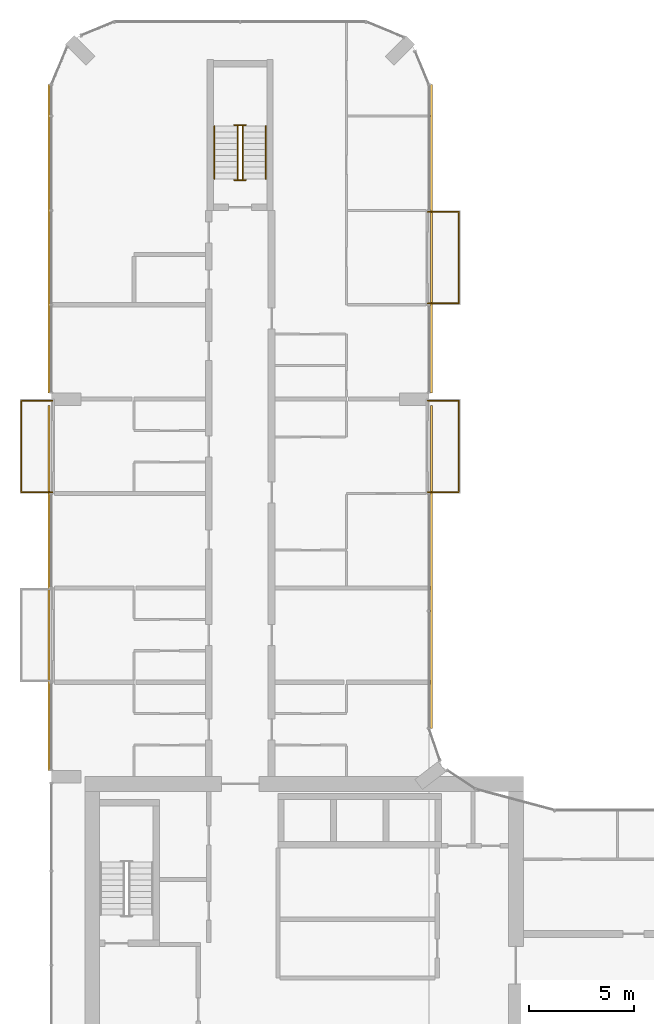
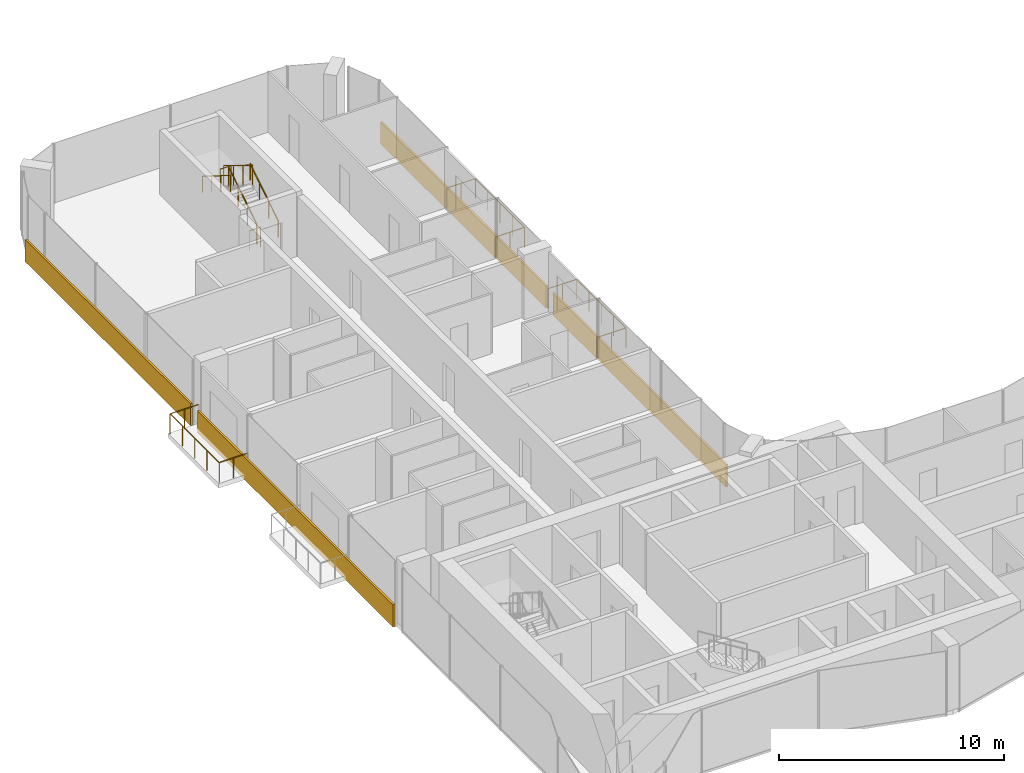
# One storey, part 22 of 23: 9 railings, 4 coverings.
"""IFC4 building model written with IfcOpenShell, lengths in metres."""

from ifc_helpers import new_model, si_unit, direction, frame, origin, origin_2d, place, context, subcontext, project, spatial, rectangle, circle, extrude, material, layer, layer_set, type_object, element, save


model = new_model("IFC4")

# Units and contexts
model_context = context("Model", 3, precision=1e-05, world=origin(), true_north=direction((0.0, 1.0)))
body_context = subcontext(model_context, "Body", "Model", "MODEL_VIEW")
ifc_project = project(units=[si_unit("LENGTHUNIT", "METRE"), si_unit("AREAUNIT", "SQUARE_METRE"), si_unit("VOLUMEUNIT", "CUBIC_METRE"), si_unit("PLANEANGLEUNIT", "RADIAN"), si_unit("MASSUNIT", "GRAM", prefix="KILO")], contexts=[model_context])

# Site, building, storey
site_placement = place(None, origin())
site = spatial("IfcSite", under=ifc_project, at=site_placement, CompositionType="ELEMENT")
building_placement = place(site_placement, origin())
building = spatial("IfcBuilding", under=site, at=building_placement, Name="Plateau Cross Towers", CompositionType="ELEMENT")
storey_placement = place(building_placement, frame((0.0, 0.0, 92.300048828125)))
storey = spatial("IfcBuildingStorey", under=building, at=storey_placement, Name="L23", CompositionType="ELEMENT", Elevation=92.300048828125)

# Railings
ifc_material_1 = material(Name="Stainless steel and toughened glass", Category="steel")
railing_type_1 = type_object("IfcRailingType", Name="Glass balustrade guard 1100", PredefinedType="GUARDRAIL", material=ifc_material_1)
railing_1_placement = place(storey_placement, frame((0.050048828125, 31.570068359375, 0.0)))
element("IfcRailing", 1, at=railing_1_placement, inside=storey, type_object=railing_type_1, Name="Guard guard1", PredefinedType="GUARDRAIL", context=body_context, shape_type="SweptSolid", body=[
    extrude(circle(Radius=0.02392578125, at=origin_2d()), frame((0.0, 0.0, 1.076171875), z_axis=(-1.0, 0.0, 0.0), x_axis=(0.0, -1.0, 0.0)), (0.0, 0.0, 1.0), 1.47998046875),
    extrude(circle(Radius=0.02392578125, at=origin_2d()), frame((-1.47998046875, 0.0, 1.076171875), z_axis=(0.0, 1.0, 0.0), x_axis=(-1.0, 0.0, 0.0)), (0.0, 0.0, 1.0), 4.35986328125),
    extrude(circle(Radius=0.02392578125, at=origin_2d()), frame((-1.47998046875, 4.35986328125, 1.076171875), z_axis=(1.0, 0.0, 0.0), x_axis=(0.0, 1.0, 0.0)), (0.0, 0.0, 1.0), 1.47998046875),
    extrude(circle(Radius=0.02099609375, at=origin_2d()), origin(), (0.0, 0.0, 1.0), 1.052001953125),
    extrude(circle(Radius=0.02099609375, at=origin_2d()), frame((-0.739990234375, 0.0, 0.0)), (0.0, 0.0, 1.0), 1.052001953125),
    extrude(circle(Radius=0.02099609375, at=origin_2d()), frame((-1.47998046875, 0.0, 0.0)), (0.0, 0.0, 1.0), 1.052001953125),
    extrude(circle(Radius=0.02099609375, at=origin_2d()), frame((-1.47998046875, 1.08984375, 0.0)), (0.0, 0.0, 1.0), 1.052001953125),
    extrude(circle(Radius=0.02099609375, at=origin_2d()), frame((-1.47998046875, 2.179931640625, 0.0)), (0.0, 0.0, 1.0), 1.052001953125),
    extrude(circle(Radius=0.02099609375, at=origin_2d()), frame((-1.47998046875, 3.27001953125, 0.0)), (0.0, 0.0, 1.0), 1.052001953125),
    extrude(circle(Radius=0.02099609375, at=origin_2d()), frame((-1.47998046875, 4.35986328125, 0.0)), (0.0, 0.0, 1.0), 1.052001953125),
    extrude(circle(Radius=0.02099609375, at=origin_2d()), frame((-0.739990234375, 4.35986328125, 0.0)), (0.0, 0.0, 1.0), 1.052001953125),
    extrude(circle(Radius=0.02099609375, at=origin_2d()), frame((0.0, 4.35986328125, 0.0)), (0.0, 0.0, 1.0), 1.052001953125),
])
for number, where, name in (
    (2, (17.949951171875, 35.929931640625, 0.0), "Guard guard1"),
    (3, (17.949951171875, 44.929931640625, 0.0), "Guard guard1"),
):
    element("IfcRailing", number, at=place(storey_placement, frame(where)), inside=storey, type_object=railing_type_1, Name=name, PredefinedType="GUARDRAIL", context=body_context, shape_type="SweptSolid", body=[
        extrude(circle(Radius=0.02392578125, at=origin_2d()), frame((0.0, 0.0, 1.076171875), z_axis=(1.0, 0.0, 0.0), x_axis=(0.0, 1.0, 0.0)), (0.0, 0.0, 1.0), 1.47998046875),
        extrude(circle(Radius=0.02392578125, at=origin_2d()), frame((1.47998046875, 0.0, 1.076171875), z_axis=(0.0, -1.0, 0.0), x_axis=(1.0, 0.0, 0.0)), (0.0, 0.0, 1.0), 4.35986328125),
        extrude(circle(Radius=0.02392578125, at=origin_2d()), frame((1.47998046875, -4.35986328125, 1.076171875), z_axis=(-1.0, 0.0, 0.0), x_axis=(0.0, -1.0, 0.0)), (0.0, 0.0, 1.0), 1.47998046875),
        extrude(circle(Radius=0.02099609375, at=origin_2d()), origin(), (0.0, 0.0, 1.0), 1.052001953125),
        extrude(circle(Radius=0.02099609375, at=origin_2d()), frame((0.739990234375, 0.0, 0.0)), (0.0, 0.0, 1.0), 1.052001953125),
        extrude(circle(Radius=0.02099609375, at=origin_2d()), frame((1.47998046875, 0.0, 0.0)), (0.0, 0.0, 1.0), 1.052001953125),
        extrude(circle(Radius=0.02099609375, at=origin_2d()), frame((1.47998046875, -1.08984375, 0.0)), (0.0, 0.0, 1.0), 1.052001953125),
        extrude(circle(Radius=0.02099609375, at=origin_2d()), frame((1.47998046875, -2.179931640625, 0.0)), (0.0, 0.0, 1.0), 1.052001953125),
        extrude(circle(Radius=0.02099609375, at=origin_2d()), frame((1.47998046875, -3.27001953125, 0.0)), (0.0, 0.0, 1.0), 1.052001953125),
        extrude(circle(Radius=0.02099609375, at=origin_2d()), frame((1.47998046875, -4.35986328125, 0.0)), (0.0, 0.0, 1.0), 1.052001953125),
        extrude(circle(Radius=0.02099609375, at=origin_2d()), frame((0.739990234375, -4.35986328125, 0.0)), (0.0, 0.0, 1.0), 1.052001953125),
        extrude(circle(Radius=0.02099609375, at=origin_2d()), frame((0.0, -4.35986328125, 0.0)), (0.0, 0.0, 1.0), 1.052001953125),
    ])
railing_type_2 = type_object("IfcRailingType", Name="RL-GUARD-1100", PredefinedType="GUARDRAIL", material=ifc_material_1)
railing_2_placement = place(storey_placement, frame((9.125, 46.5, 0.175048828125)))
element("IfcRailing", 4, at=railing_2_placement, inside=storey, type_object=railing_type_2, Name="L23 ES-N stair guard 1", PredefinedType="GUARDRAIL", context=body_context, shape_type="SweptSolid", body=[
    extrude(circle(Radius=0.02392578125, at=origin_2d()), frame((0.0, 0.0, 1.076171875), z_axis=(0.0, 0.848007534815, 0.529984170421), x_axis=(-1.0, 0.0, 0.0)), (0.0, 0.0, 1.0), 2.9716796875),
    extrude(circle(Radius=0.02099609375, at=origin_2d()), origin(), (0.0, 0.0, 1.0), 1.052001953125),
    extrude(circle(Radius=0.02099609375, at=origin_2d()), frame((0.0, 0.840087890625, 0.52490234375)), (0.0, 0.0, 1.0), 1.052001953125),
    extrude(circle(Radius=0.02099609375, at=origin_2d()), frame((0.0, 1.679931640625, 1.050048828125)), (0.0, 0.0, 1.0), 1.052001953125),
    extrude(circle(Radius=0.02099609375, at=origin_2d()), frame((0.0, 2.52001953125, 1.574951171875)), (0.0, 0.0, 1.0), 1.052001953125),
])
railing_3_placement = place(storey_placement, frame((9.27490234375, 49.070068359375, 1.75)))
element("IfcRailing", 5, at=railing_3_placement, inside=storey, type_object=railing_type_2, Name="L23 ES-N stair guard 2", PredefinedType="GUARDRAIL", context=body_context, shape_type="SweptSolid", body=[
    extrude(circle(Radius=0.02392578125, at=origin_2d()), frame((0.0, 0.0, 1.076171875), z_axis=(-1.0, 0.0, 0.0), x_axis=(0.0, -1.0, 0.0)), (0.0, 0.0, 1.0), 0.5498046875),
    extrude(circle(Radius=0.02099609375, at=origin_2d()), origin(), (0.0, 0.0, 1.0), 1.052001953125),
    extrude(circle(Radius=0.02099609375, at=origin_2d()), frame((-0.5498046875, 0.0, 0.0)), (0.0, 0.0, 1.0), 1.052001953125),
])
railing_4_placement = place(storey_placement, frame((8.875, 49.02001953125, 1.925048828125)))
element("IfcRailing", 6, at=railing_4_placement, inside=storey, type_object=railing_type_2, Name="L23 ES-N stair guard 3", PredefinedType="GUARDRAIL", context=body_context, shape_type="SweptSolid", body=[
    extrude(circle(Radius=0.02392578125, at=origin_2d()), frame((0.0, 0.0, 1.076171875), z_axis=(0.0, -0.852638500773, 0.522501279423), x_axis=(1.0, 0.0, 0.0)), (0.0, 0.0, 1.0), 3.01416015625),
    extrude(circle(Radius=0.02099609375, at=origin_2d()), origin(), (0.0, 0.0, 1.0), 1.052001953125),
    extrude(circle(Radius=0.02099609375, at=origin_2d()), frame((0.0, -0.856689453125, 0.52490234375)), (0.0, 0.0, 1.0), 1.052001953125),
    extrude(circle(Radius=0.02099609375, at=origin_2d()), frame((0.0, -1.71337890625, 1.050048828125)), (0.0, 0.0, 1.0), 1.052001953125),
    extrude(circle(Radius=0.02099609375, at=origin_2d()), frame((0.0, -2.570068359375, 1.574951171875)), (0.0, 0.0, 1.0), 1.052001953125),
])
railing_5_placement = place(storey_placement, frame((9.27490234375, 46.449951171875, 0.0)))
element("IfcRailing", 7, at=railing_5_placement, inside=storey, type_object=railing_type_2, Name="L23 ES-N stair guard 4", PredefinedType="GUARDRAIL", context=body_context, shape_type="SweptSolid", body=[
    extrude(circle(Radius=0.02392578125, at=origin_2d()), frame((0.0, 0.0, 1.076171875), z_axis=(-1.0, 0.0, 0.0), x_axis=(0.0, -1.0, 0.0)), (0.0, 0.0, 1.0), 0.5498046875),
    extrude(circle(Radius=0.02099609375, at=origin_2d()), origin(), (0.0, 0.0, 1.0), 1.052001953125),
    extrude(circle(Radius=0.02099609375, at=origin_2d()), frame((-0.5498046875, 0.0, 0.0)), (0.0, 0.0, 1.0), 1.052001953125),
])
ifc_material_2 = material(Name="Black anodised aluminium", Category="aluminium")
railing_type_3 = type_object("IfcRailingType", Name="RL-HANDRAIL-900", PredefinedType="HANDRAIL", material=ifc_material_2)
railing_6_placement = place(storey_placement, frame((10.22509765625, 46.5, 0.175048828125)))
element("IfcRailing", 8, at=railing_6_placement, inside=storey, type_object=railing_type_3, Name="L23 ES-N stair handrail 1", PredefinedType="HANDRAIL", context=body_context, shape_type="SweptSolid", body=[
    extrude(circle(Radius=0.02392578125, at=origin_2d()), frame((0.0, 0.0, 0.8759765625), z_axis=(0.0, 0.848007534815, 0.529984170421), x_axis=(-1.0, 0.0, 0.0)), (0.0, 0.0, 1.0), 2.9716796875),
    extrude(circle(Radius=0.02099609375, at=origin_2d()), origin(), (0.0, 0.0, 1.0), 0.851806640625),
    extrude(circle(Radius=0.02099609375, at=origin_2d()), frame((0.0, 0.840087890625, 0.52490234375)), (0.0, 0.0, 1.0), 0.851806640625),
    extrude(circle(Radius=0.02099609375, at=origin_2d()), frame((0.0, 1.679931640625, 1.050048828125)), (0.0, 0.0, 1.0), 0.851806640625),
    extrude(circle(Radius=0.02099609375, at=origin_2d()), frame((0.0, 2.52001953125, 1.574951171875)), (0.0, 0.0, 1.0), 0.851806640625),
])
railing_7_placement = place(storey_placement, frame((7.77490234375, 49.02001953125, 1.925048828125)))
element("IfcRailing", 9, at=railing_7_placement, inside=storey, type_object=railing_type_3, Name="L23 ES-N stair handrail 2", PredefinedType="HANDRAIL", context=body_context, shape_type="SweptSolid", body=[
    extrude(circle(Radius=0.02392578125, at=origin_2d()), frame((0.0, 0.0, 0.8759765625), z_axis=(0.0, -0.848007534815, 0.529984170421), x_axis=(1.0, 0.0, 0.0)), (0.0, 0.0, 1.0), 2.9716796875),
    extrude(circle(Radius=0.02099609375, at=origin_2d()), origin(), (0.0, 0.0, 1.0), 0.851806640625),
    extrude(circle(Radius=0.02099609375, at=origin_2d()), frame((0.0, -0.840087890625, 0.52490234375)), (0.0, 0.0, 1.0), 0.851806640625),
    extrude(circle(Radius=0.02099609375, at=origin_2d()), frame((0.0, -1.679931640625, 1.050048828125)), (0.0, 0.0, 1.0), 0.851806640625),
    extrude(circle(Radius=0.02099609375, at=origin_2d()), frame((0.0, -2.52001953125, 1.574951171875)), (0.0, 0.0, 1.0), 0.851806640625),
])

# Coverings
ifc_material_3 = material(Name="Precast concrete cladding C40/50", Category="concrete")
ifc_layer = layer(ifc_material_3, 0.10009765625)
ifc_layer_set = layer_set([ifc_layer], Name="Precast concrete cladding C40/50")
covering_type = type_object("IfcCoveringType", Name="Spandrel band cladding 100x1200", PredefinedType="CLADDING", material=ifc_layer_set)
covering_1_placement = place(storey_placement, frame((18.1201171875, 28.001220703125, -0.25), z_axis=(0.0, 0.0, 1.0), x_axis=(0.0, 1.0, 0.0)))
element("IfcCovering", 10, at=covering_1_placement, inside=storey, type_object=covering_type, Name="Spandrel band", PredefinedType="CLADDING", context=body_context, shape_type="SweptSolid", body=[
    extrude(rectangle(XDim=15.397705078125, YDim=0.10009765625, at=origin_2d()), origin(), (0.0, 0.0, 1.0), 1.199951171875),
])
for number, where, z_axis, x_axis, name in (
    (11, (18.1201171875, 43.64990234375, -0.25), (0.0, 0.0, 1.0), (0.0, 1.0, 0.0), "Spandrel band"),
    (12, (-0.1201171875, 43.64990234375, -0.25), (0.0, 0.0, 1.0), (0.0, -1.0, 0.0), "Spandrel band"),
):
    element("IfcCovering", number, at=place(storey_placement, frame(where, z_axis=z_axis, x_axis=x_axis)), inside=storey, type_object=covering_type, Name=name, PredefinedType="CLADDING", context=body_context, shape_type="SweptSolid", body=[
        extrude(rectangle(XDim=14.699951171875, YDim=0.10009765625, at=origin_2d()), origin(), (0.0, 0.0, 1.0), 1.199951171875),
    ])
covering_2_placement = place(storey_placement, frame((-0.1201171875, 27.0, -0.25), z_axis=(0.0, 0.0, 1.0), x_axis=(0.0, -1.0, 0.0)))
element("IfcCovering", 13, at=covering_2_placement, inside=storey, type_object=covering_type, Name="Spandrel band", PredefinedType="CLADDING", context=body_context, shape_type="SweptSolid", body=[
    extrude(rectangle(XDim=17.39990234375, YDim=0.10009765625, at=origin_2d()), origin(), (0.0, 0.0, 1.0), 1.199951171875),
])

save(model, "model.ifc")
